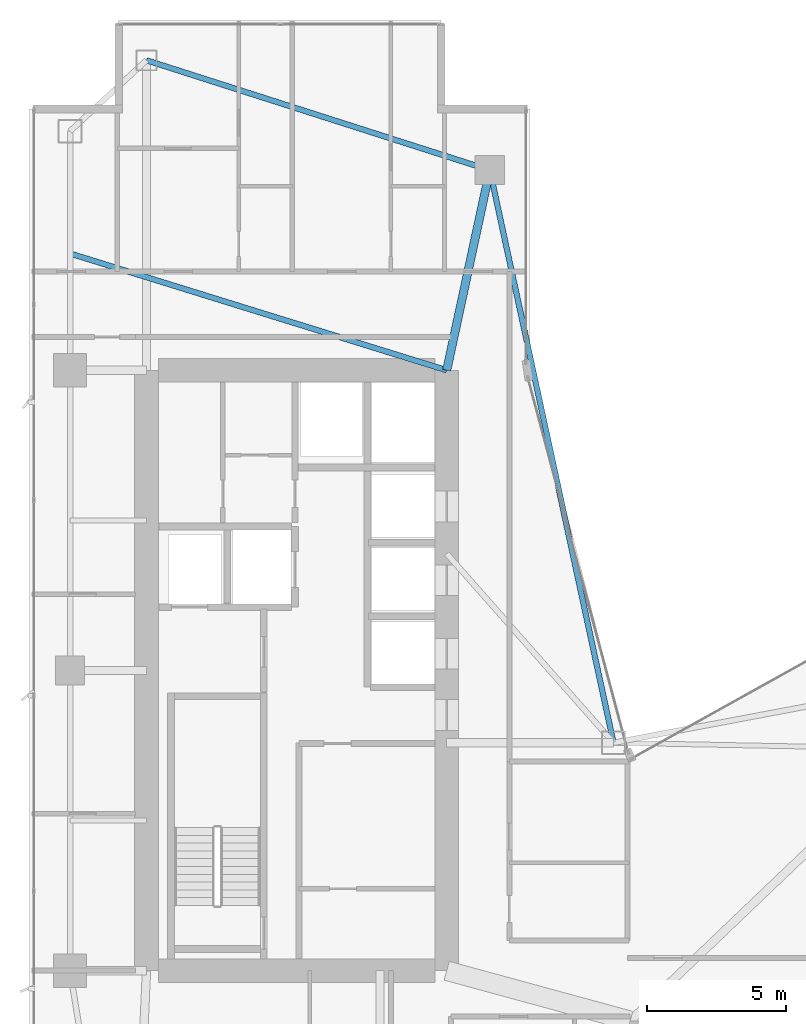
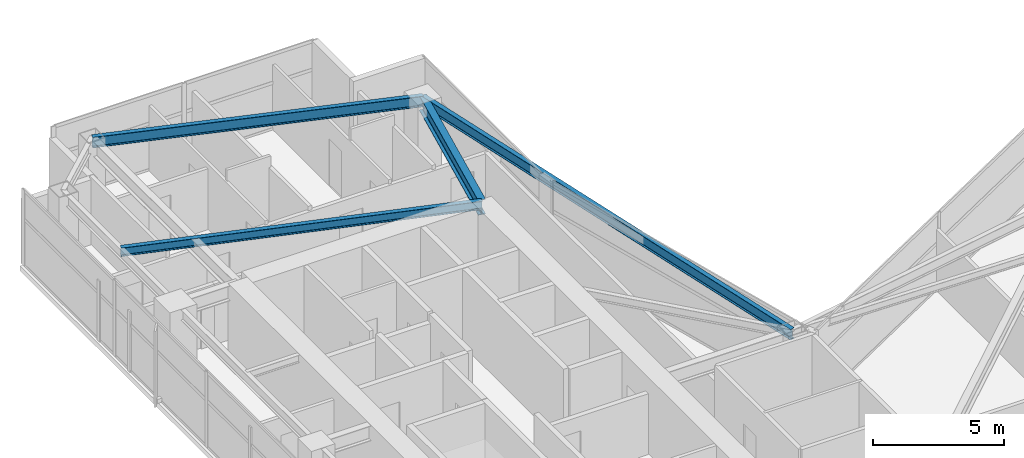
# One storey, part 17 of 29: 4 beams.
"""IFC4 building model written with IfcOpenShell, lengths in metres."""

from ifc_helpers import new_model, si_unit, direction, frame, origin, origin_2d, place, context, subcontext, project, spatial, i_section, extrude, material, material_profile, profile_set, type_object, element, save


model = new_model("IFC4")

# Units and contexts
model_context = context("Model", 3, precision=1e-05, world=origin(), true_north=direction((0.0, 1.0)))
body_context = subcontext(model_context, "Body", "Model", "MODEL_VIEW")
ifc_project = project(units=[si_unit("LENGTHUNIT", "METRE"), si_unit("AREAUNIT", "SQUARE_METRE"), si_unit("VOLUMEUNIT", "CUBIC_METRE"), si_unit("PLANEANGLEUNIT", "RADIAN"), si_unit("MASSUNIT", "GRAM", prefix="KILO")], contexts=[model_context])

# Site, building, storey
site_placement = place(None, origin())
site = spatial("IfcSite", under=ifc_project, at=site_placement, CompositionType="ELEMENT")
building_placement = place(site_placement, origin())
building = spatial("IfcBuilding", under=site, at=building_placement, Name="Calvorn Quay Hotel", CompositionType="ELEMENT")
storey_placement = place(building_placement, frame((0.0, 0.0, 120.199951171875)))
storey = spatial("IfcBuildingStorey", under=building, at=storey_placement, Name="L29", CompositionType="ELEMENT", Elevation=120.199951171875)

# Beams
ifc_material_1 = material(Name="Steel Q390GJC", Category="steel")
ifc_material_profile_1 = material_profile(ifc_material_1, i_section(OverallWidth=0.300048828125, OverallDepth=0.699951171875, WebThickness=0.012939453125, FlangeThickness=0.02392578125, FilletRadius=0.02392578125, at=origin_2d()), Name="HN700x300x13x24")
ifc_profile_set_1 = profile_set([ifc_material_profile_1], Name="Steel Q390GJC")
beam_type_1 = type_object("IfcBeamType", Name="BM-GIRD-MAIN", PredefinedType="BEAM", material=ifc_profile_set_1)
beam_1_placement = place(storey_placement, frame((16.550048828125, 45.60009765625, 3.18994140625), z_axis=(-0.210457140491, -0.97760308511, 0.0), x_axis=(0.97760308511, -0.210457140491, 0.0)))
element("IfcBeam", 1, at=beam_1_placement, inside=storey, type_object=beam_type_1, Name="Beam BG-L29-W6", PredefinedType="BEAM", context=body_context, shape_type="SweptSolid", body=[
    extrude(i_section(OverallWidth=0.300048828125, OverallDepth=0.699951171875, WebThickness=0.012939453125, FlangeThickness=0.02392578125, FilletRadius=0.02392578125, at=origin_2d()), origin(), (0.0, 0.0, 1.0), 7.365234375),
])
ifc_material_2 = material(Name="Steel Q355B", Category="steel")
ifc_material_profile_2 = material_profile(ifc_material_2, i_section(OverallWidth=0.199951171875, OverallDepth=0.39990234375, WebThickness=0.008056640625, FlangeThickness=0.012939453125, FilletRadius=0.01611328125, at=origin_2d()), Name="HN400x200x8x13")
ifc_profile_set_2 = profile_set([ifc_material_profile_2], Name="Steel Q355B")
beam_type_2 = type_object("IfcBeamType", Name="BM-JOIST-TYP", PredefinedType="JOIST", material=ifc_profile_set_2)
beam_2_placement = place(storey_placement, frame((1.449951171875, 42.60009765625, 3.340087890625), z_axis=(0.955163702122, -0.296078202759, 0.0), x_axis=(0.296078202759, 0.955163702122, 0.0)))
element("IfcBeam", 2, at=beam_2_placement, inside=storey, type_object=beam_type_2, Name="Beam BJ-L29-W2", PredefinedType="JOIST", context=body_context, shape_type="SweptSolid", body=[
    extrude(i_section(OverallWidth=0.199951171875, OverallDepth=0.39990234375, WebThickness=0.008056640625, FlangeThickness=0.012939453125, FilletRadius=0.01611328125, at=origin_2d()), origin(), (0.0, 0.0, 1.0), 14.18603515625),
])
ifc_material_3 = material(Name="Steel Q355B", Category="steel")
ifc_material_profile_3 = material_profile(ifc_material_3, i_section(OverallWidth=0.199951171875, OverallDepth=0.5, WebThickness=0.010009765625, FlangeThickness=0.01611328125, FilletRadius=0.01611328125, at=origin_2d()), Name="HN500x200x10x16")
ifc_profile_set_3 = profile_set([ifc_material_profile_3], Name="Steel Q355B")
beam_type_3 = type_object("IfcBeamType", Name="BM-SPANDREL-Z1", PredefinedType="SPANDREL", material=ifc_profile_set_3)
beam_3_placement = place(storey_placement, frame((4.199951171875, 49.550048828125, 3.2900390625), z_axis=(0.952470702374, -0.304630203885, 0.0), x_axis=(0.304630203885, 0.952470702374, 0.0)))
element("IfcBeam", 3, at=beam_3_placement, inside=storey, type_object=beam_type_3, Name="Beam BSP-L29-W6", PredefinedType="SPANDREL", context=body_context, shape_type="SweptSolid", body=[
    extrude(i_section(OverallWidth=0.199951171875, OverallDepth=0.5, WebThickness=0.010009765625, FlangeThickness=0.01611328125, FilletRadius=0.01611328125, at=origin_2d()), origin(), (0.0, 0.0, 1.0), 12.96630859375),
])
beam_4_placement = place(storey_placement, frame((16.550048828125, 45.60009765625, 3.2900390625), z_axis=(0.211145848376, -0.977454567084, 0.0), x_axis=(0.977454567084, 0.211145848376, 0.0)))
element("IfcBeam", 4, at=beam_4_placement, inside=storey, type_object=beam_type_3, Name="Beam BSP-L29-W7", PredefinedType="SPANDREL", context=body_context, shape_type="SweptSolid", body=[
    extrude(i_section(OverallWidth=0.199951171875, OverallDepth=0.5, WebThickness=0.010009765625, FlangeThickness=0.01611328125, FilletRadius=0.01611328125, at=origin_2d()), origin(), (0.0, 0.0, 1.0), 21.0751953125),
])

save(model, "model.ifc")
